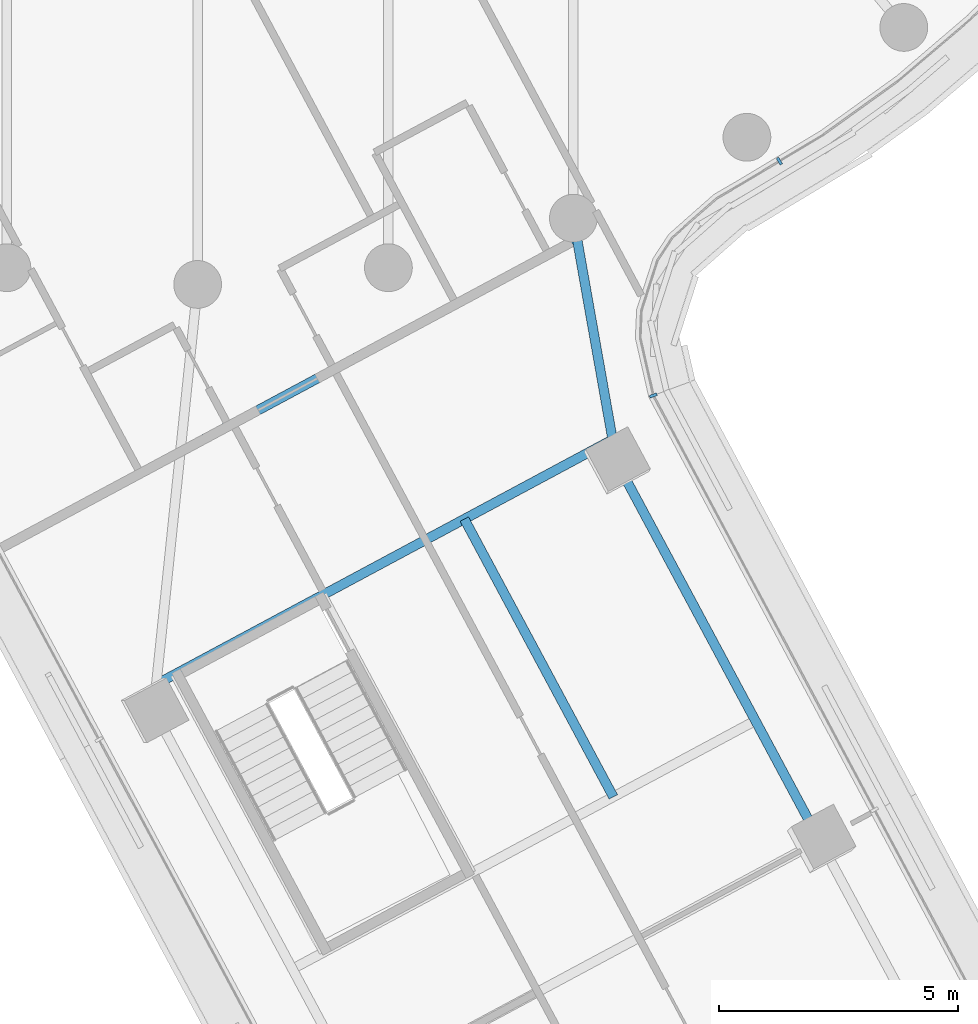
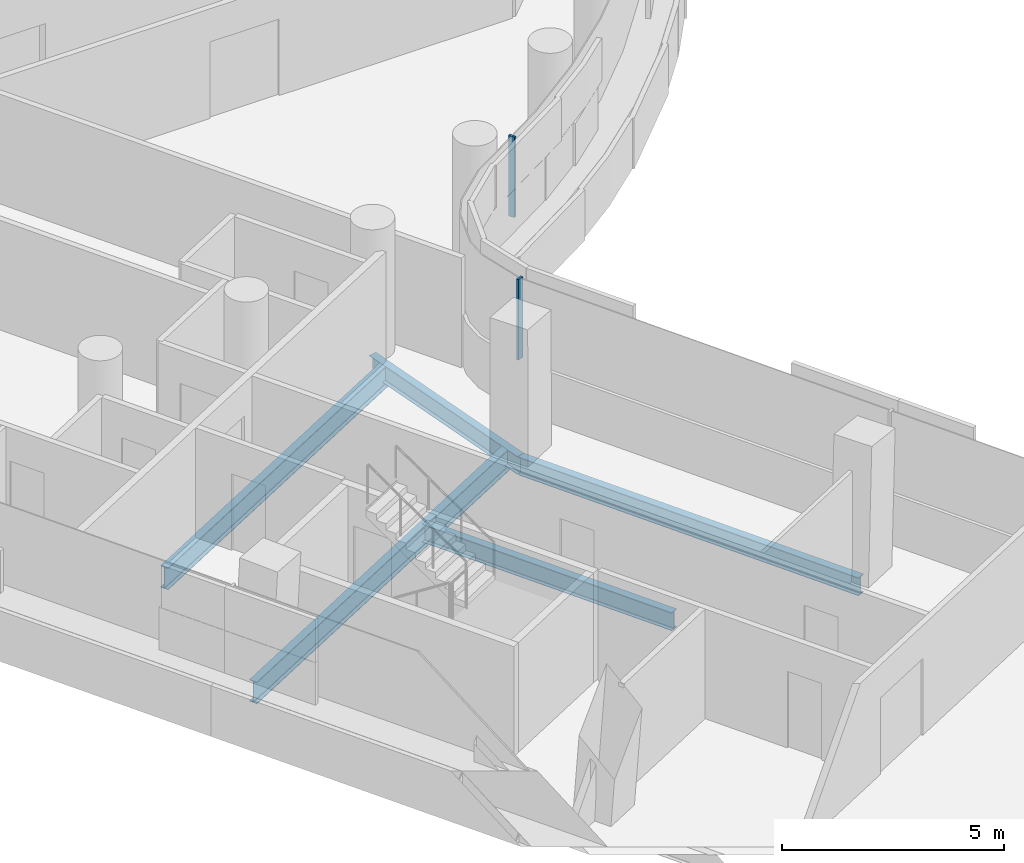
# One storey, part 5 of 33: 5 beams, 2 members, 1 element without a shape of its own.
"""IFC4 building model written with IfcOpenShell, lengths in metres."""

from ifc_helpers import new_model, si_unit, direction, frame, origin, origin_2d, place, context, subcontext, project, spatial, rectangle, i_section, extrude, material, layer, layer_set, material_profile, profile_set, type_object, element, aggregate, save


model = new_model("IFC4")

# Units and contexts
model_context = context("Model", 3, precision=1e-05, world=origin(), true_north=direction((0.0, 1.0)))
body_context = subcontext(model_context, "Body", "Model", "MODEL_VIEW")
ifc_project = project(units=[si_unit("LENGTHUNIT", "METRE"), si_unit("AREAUNIT", "SQUARE_METRE"), si_unit("VOLUMEUNIT", "CUBIC_METRE"), si_unit("PLANEANGLEUNIT", "RADIAN"), si_unit("MASSUNIT", "GRAM", prefix="KILO")], contexts=[model_context])

# Site, building, storey
site_placement = place(None, origin())
site = spatial("IfcSite", under=ifc_project, at=site_placement, CompositionType="ELEMENT")
building_placement = place(site_placement, origin())
building = spatial("IfcBuilding", under=site, at=building_placement, Name="Tamarind Cross Interchange Tower", CompositionType="ELEMENT")
storey_placement = place(building_placement, frame((0.0, 0.0, 136.75)))
storey = spatial("IfcBuildingStorey", under=building, at=storey_placement, Name="L33", CompositionType="ELEMENT", Elevation=136.75)

# Beams
ifc_material_1 = material(Name="Steel Q355B", Category="steel")
ifc_material_profile_1 = material_profile(ifc_material_1, i_section(OverallWidth=0.198974609375, OverallDepth=0.49609375, WebThickness=0.009033203125, FlangeThickness=0.013916015625, FilletRadius=0.012939453125, at=origin_2d()), Name="HN 496x199x9x14")
ifc_profile_set_1 = profile_set([ifc_material_profile_1], Name="Steel Q355B")
beam_type_1 = type_object("IfcBeamType", Name="Composite beam HN 496x199x9x14 Q355B", PredefinedType="BEAM", material=ifc_profile_set_1)
beam_1_placement = place(storey_placement, frame((13.0244140625, -34.645263671875, -0.387939453125), z_axis=(-0.472712902777, 0.881216495277, 0.0), x_axis=(-0.881216495277, -0.472712902777, 0.0)))
element("IfcBeam", 1, at=beam_1_placement, inside=storey, type_object=beam_type_1, Name="Beam S-edgeep3", PredefinedType="BEAM", context=body_context, shape_type="SweptSolid", body=[
    extrude(i_section(OverallWidth=0.198974609375, OverallDepth=0.49609375, WebThickness=0.009033203125, FlangeThickness=0.013916015625, FilletRadius=0.012939453125, at=origin_2d()), origin(), (0.0, 0.0, 1.0), 9.0),
])
beam_2_placement = place(storey_placement, frame((8.77001953125, -26.71435546875, -0.387939453125), z_axis=(-0.174408991421, 0.984673297958, 0.0), x_axis=(-0.984673297958, -0.174408991421, 0.0)))
element("IfcBeam", 2, at=beam_2_placement, inside=storey, type_object=beam_type_1, Name="Beam S-linkep", PredefinedType="BEAM", context=body_context, shape_type="SweptSolid", body=[
    extrude(i_section(OverallWidth=0.198974609375, OverallDepth=0.49609375, WebThickness=0.009033203125, FlangeThickness=0.013916015625, FilletRadius=0.012939453125, at=origin_2d()), origin(), (0.0, 0.0, 1.0), 5.1806640625),
])
beam_3_placement = place(storey_placement, frame((5.583251953125, -27.9130859375, -0.387939453125), z_axis=(0.472700715207, -0.881223032974, 0.0), x_axis=(0.881223032974, 0.472700715207, 0.0)))
element("IfcBeam", 3, at=beam_3_placement, inside=storey, type_object=beam_type_1, Name="Beam S-stripp", PredefinedType="BEAM", context=body_context, shape_type="SweptSolid", body=[
    extrude(i_section(OverallWidth=0.198974609375, OverallDepth=0.49609375, WebThickness=0.009033203125, FlangeThickness=0.013916015625, FilletRadius=0.012939453125, at=origin_2d()), origin(), (0.0, 0.0, 1.0), 6.60009765625),
])
ifc_material_profile_2 = material_profile(ifc_material_1, i_section(OverallWidth=0.199951171875, OverallDepth=0.60009765625, WebThickness=0.010986328125, FlangeThickness=0.01708984375, FilletRadius=0.012939453125, at=origin_2d()), Name="HN 600x200x11x17")
ifc_profile_set_2 = profile_set([ifc_material_profile_2], Name="Steel Q355B")
beam_type_2 = type_object("IfcBeamType", Name="Composite beam HN 600x200x11x17 Q355B", PredefinedType="BEAM", material=ifc_profile_set_2)
beam_4_placement = place(storey_placement, frame((-0.867431640625, -31.373291015625, -0.43994140625), z_axis=(0.881229129113, 0.472689350422, 0.0), x_axis=(-0.472689350422, 0.881229129113, 0.0)))
element("IfcBeam", 4, at=beam_4_placement, inside=storey, type_object=beam_type_2, Name="Beam S-x298", PredefinedType="BEAM", context=body_context, shape_type="SweptSolid", body=[
    extrude(i_section(OverallWidth=0.199951171875, OverallDepth=0.60009765625, WebThickness=0.010986328125, FlangeThickness=0.01708984375, FilletRadius=0.012939453125, at=origin_2d()), origin(), (0.0, 0.0, 1.0), 10.8427734375),
])
beam_5_placement = place(storey_placement, frame((-0.36328125, -26.507080078125, -0.43994140625), z_axis=(0.881229208222, 0.472689202941, 0.0), x_axis=(-0.472689202941, 0.881229208222, 0.0)))
element("IfcBeam", 5, at=beam_5_placement, inside=storey, type_object=beam_type_2, Name="Beam S-x258", PredefinedType="BEAM", context=body_context, shape_type="SweptSolid", body=[
    extrude(i_section(OverallWidth=0.199951171875, OverallDepth=0.60009765625, WebThickness=0.010986328125, FlangeThickness=0.01708984375, FilletRadius=0.012939453125, at=origin_2d()), origin(), (0.0, 0.0, 1.0), 9.427001953125),
])

# Curtain wall, members
ifc_material_2 = material(Name="Aluminium 6063-T6", Category="aluminium")
ifc_layer = layer(ifc_material_2, 0.159912109375)
ifc_layer_set = layer_set([ifc_layer], Name="Aluminium 6063-T6")
curtain_wall_type = type_object("IfcCurtainWallType", Name="Office curtain wall, 9.0 m bays", PredefinedType="NOTDEFINED", material=ifc_layer_set)
curtain_wall_placement = place(storey_placement, origin())
curtain_wall = element("IfcCurtainWall", 6, at=curtain_wall_placement, inside=storey, type_object=curtain_wall_type, Name="CWS-L33-10", PredefinedType="NOTDEFINED")
ifc_material_profile_3 = material_profile(ifc_material_2, rectangle(XDim=0.06005859375, YDim=0.159912109375, at=origin_2d()), Name="Mullion CW1")
ifc_profile_set_3 = profile_set([ifc_material_profile_3], Name="Aluminium 6063-T6")
member_type = type_object("IfcMemberType", Name="Mullion CW1", PredefinedType="MULLION", material=ifc_profile_set_3)
member_1_placement = place(storey_placement, frame((9.54052734375, -25.3251953125, 1.39990234375), z_axis=(0.0, 0.0, 1.0), x_axis=(-0.349771319523, 0.936835110379, 0.0)))
member_1 = element("IfcMember", 7, at=member_1_placement, type_object=member_type, Name="CWM-L33-10-00", PredefinedType="MULLION", context=body_context, shape_type="SweptSolid", body=[
    extrude(rectangle(XDim=0.06005859375, YDim=0.159912109375, at=origin_2d()), origin(), (0.0, 0.0, 1.0), 2.210205078125),
])
member_2_placement = place(storey_placement, frame((12.179931640625, -20.4189453125, 1.39990234375), z_axis=(0.0, 0.0, 1.0), x_axis=(0.856843065292, 0.515577308909, 0.0)))
member_2 = element("IfcMember", 8, at=member_2_placement, type_object=member_type, Name="CWM-L33-10-01", PredefinedType="MULLION", context=body_context, shape_type="SweptSolid", body=[
    extrude(rectangle(XDim=0.06005859375, YDim=0.159912109375, at=origin_2d()), origin(), (0.0, 0.0, 1.0), 2.210205078125),
])
aggregate(curtain_wall, [member_1, member_2])

save(model, "model.ifc")
